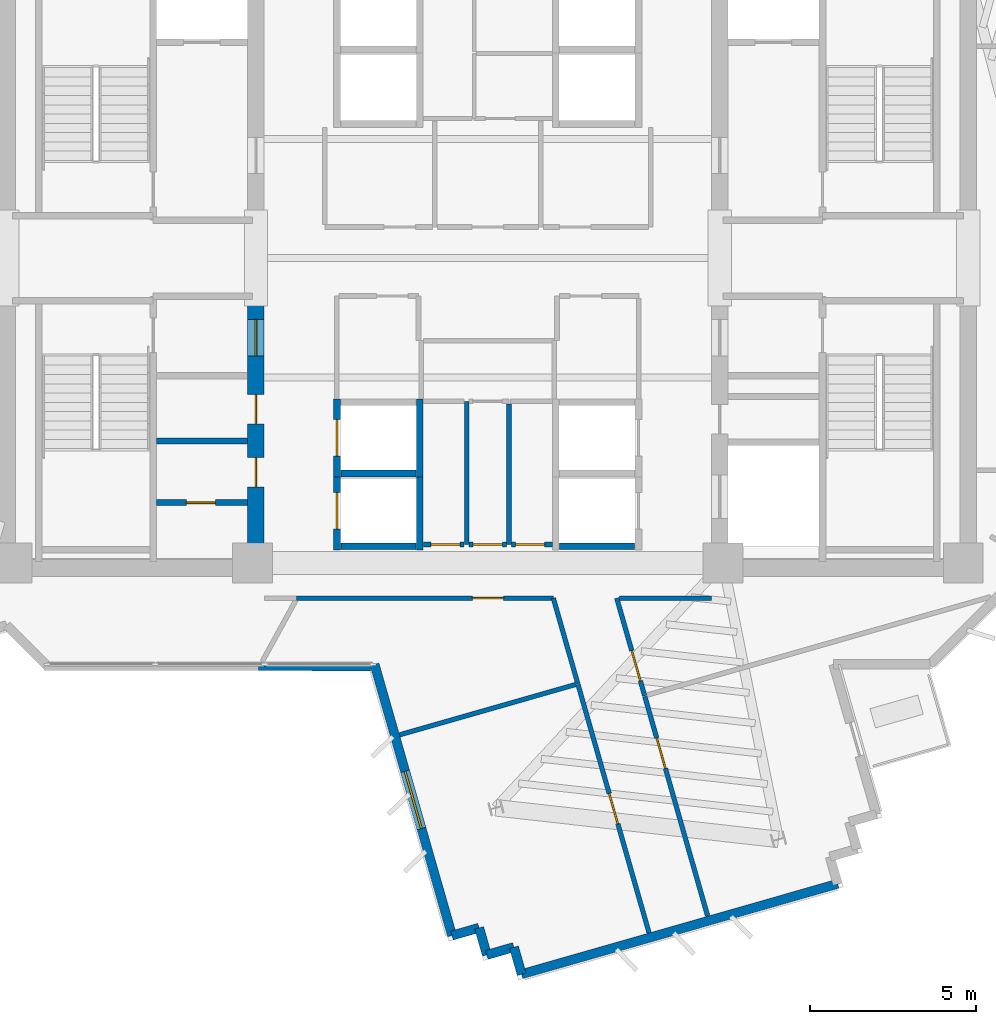
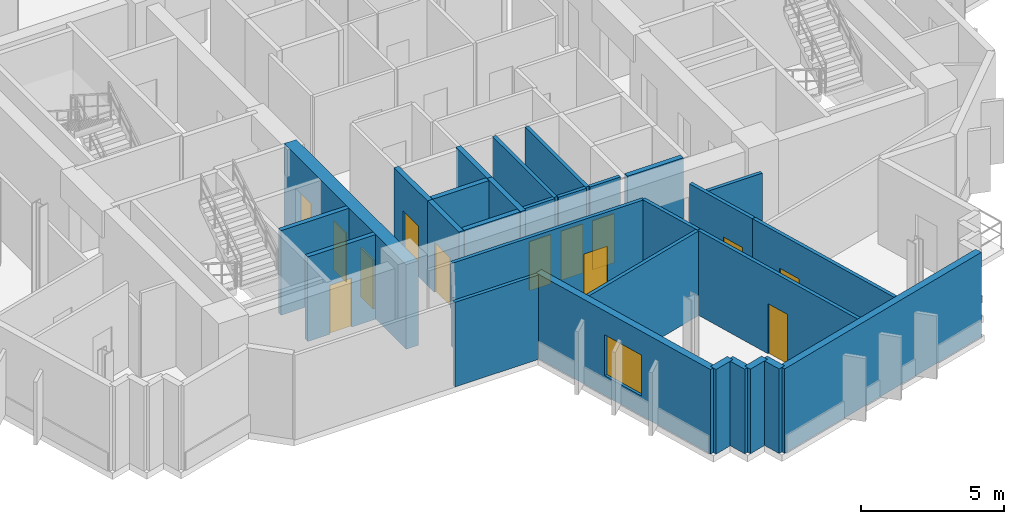
# One storey, part 5 of 14: 29 walls, 13 doors, 1 window, 14 openings.
"""IFC4 building model written with IfcOpenShell, lengths in metres."""

from ifc_helpers import new_model, si_unit, direction, frame, frame_2d, origin, place, context, subcontext, project, spatial, rectangle, extrude, source, transform, mapped, material, layer, layer_set, type_object, element, fill, save


model = new_model("IFC4")

# Units and contexts
model_context = context("Model", 3, precision=1e-05, world=origin(), true_north=direction((0.0, 1.0)))
body_context = subcontext(model_context, "Body", "Model", "MODEL_VIEW")
ifc_project = project(units=[si_unit("LENGTHUNIT", "METRE"), si_unit("AREAUNIT", "SQUARE_METRE"), si_unit("VOLUMEUNIT", "CUBIC_METRE"), si_unit("PLANEANGLEUNIT", "RADIAN"), si_unit("MASSUNIT", "GRAM", prefix="KILO")], contexts=[model_context])

# Site, building, storey
site_placement = place(None, origin())
site = spatial("IfcSite", under=ifc_project, at=site_placement, CompositionType="ELEMENT")
building_placement = place(site_placement, origin())
building = spatial("IfcBuilding", under=site, at=building_placement, Name="Zahravan Cultural Tower", CompositionType="ELEMENT")
storey_placement = place(building_placement, frame((0.0, 0.0, 205.800048828125)))
storey = spatial("IfcBuildingStorey", under=building, at=storey_placement, Name="L48", CompositionType="ELEMENT", Elevation=205.800048828125)

# Wall, openings, doors
ifc_material_1 = material(Name="Concrete C60/75", Category="concrete")
ifc_layer_1 = layer(ifc_material_1, 0.5)
ifc_layer_set_1 = layer_set([ifc_layer_1], Name="Concrete C60/75")
wall_type_1 = type_object("IfcWallType", Name="CW-SHEAR-500-C60", PredefinedType="SHEAR", material=ifc_layer_set_1)
wall_1_placement = place(storey_placement, frame((29.0, 17.39990234375, 0.0), z_axis=(0.0, 0.0, 1.0), x_axis=(0.0, 1.0, 0.0)))
wall_1 = element("IfcWall", 1, at=wall_1_placement, inside=storey, type_object=wall_type_1, Name="L48 Core Shear Wall CW-W-ES-L48", PredefinedType="SHEAR", context=body_context, shape_type="SweptSolid", body=[
    extrude(rectangle(XDim=8.550048828125, YDim=0.5, at=frame_2d((4.27490234375, 0.0))), origin(), (0.0, 0.0, 1.0), 3.619873046875),
])
opening_1_placement = place(wall_1_placement, frame((6.64990234375, 0.0, 0.0)))
opening_1 = element("IfcOpeningElement", 2, at=opening_1_placement, cuts=wall_1, Name="Opening D-L48-07", PredefinedType="OPENING", context=body_context, shape_type="SweptSolid", body=[
    extrude(rectangle(XDim=1.10009765625, YDim=2.199951171875, at=frame_2d((0.550048828125, 1.10009765625))), frame((0.0, 0.260009765625, 0.0), z_axis=(0.0, -1.0, 0.0), x_axis=(1.0, 0.0, 0.0)), (0.0, 0.0, 1.0), 0.52001953125),
])
opening_2_placement = place(wall_1_placement, frame((2.699951171875, 0.0, 0.0)))
opening_2 = element("IfcOpeningElement", 3, at=opening_2_placement, cuts=wall_1, Name="Opening D-L48-10", PredefinedType="OPENING", context=body_context, shape_type="SweptSolid", body=[
    extrude(rectangle(XDim=0.8798828125, YDim=2.10009765625, at=frame_2d((0.43994140625, 1.050048828125))), frame((0.0, 0.260009765625, 0.0), z_axis=(0.0, -1.0, 0.0), x_axis=(1.0, 0.0, 0.0)), (0.0, 0.0, 1.0), 0.52001953125),
])
opening_3_placement = place(wall_1_placement, frame((4.60009765625, 0.0, 0.0)))
opening_3 = element("IfcOpeningElement", 4, at=opening_3_placement, cuts=wall_1, Name="Opening D-L48-11", PredefinedType="OPENING", context=body_context, shape_type="SweptSolid", body=[
    extrude(rectangle(XDim=0.8798828125, YDim=2.10009765625, at=frame_2d((0.43994140625, 1.050048828125))), frame((0.0, 0.260009765625, 0.0), z_axis=(0.0, -1.0, 0.0), x_axis=(1.0, 0.0, 0.0)), (0.0, 0.0, 1.0), 0.52001953125),
])
ifc_material_2 = material(Name="Steel ASTM A572 Grade 50", Category="steel")
door_type_1 = type_object("IfcDoorType", Name="DR-LOBBY-1100", OperationType="NOTDEFINED", PredefinedType="DOOR", material=ifc_material_2)
shared_shape_1 = source(origin(), body_context, "Body", "SweptSolid", [
    extrude(rectangle(XDim=1.10009765625, YDim=2.199951171875, at=frame_2d((0.550048828125, 1.10009765625))), frame((0.0, 0.02490234375, 0.0), z_axis=(0.0, -1.0, 0.0), x_axis=(1.0, 0.0, 0.0)), (0.0, 0.0, 1.0), 0.050048828125),
])
door_1_placement = place(opening_1_placement, origin())
door_1 = element("IfcDoor", 5, at=door_1_placement, inside=storey, type_object=door_type_1, Name="L48 Door D-L48-07", OperationType="SINGLE_SWING_RIGHT", OverallHeight=2.199951171875, OverallWidth=1.10009765625, PredefinedType="DOOR", context=body_context, shape_type="MappedRepresentation", body=[
    mapped(shared_shape_1, transform((0.0, 0.0, 0.0), x_axis=(1.0, 0.0, 0.0), y_axis=(0.0, 1.0, 0.0), z_axis=(0.0, 0.0, 1.0), scale=1.0)),
])
fill(opening_1, door_1)
door_type_2 = type_object("IfcDoorType", Name="DR-SVC-880", OperationType="NOTDEFINED", PredefinedType="DOOR", material=ifc_material_2)
shared_shape_2 = source(origin(), body_context, "Body", "SweptSolid", [
    extrude(rectangle(XDim=0.8798828125, YDim=2.10009765625, at=frame_2d((0.43994140625, 1.050048828125))), frame((0.0, 0.02490234375, 0.0), z_axis=(0.0, -1.0, 0.0), x_axis=(1.0, 0.0, 0.0)), (0.0, 0.0, 1.0), 0.050048828125),
])
door_2_placement = place(opening_2_placement, origin())
door_2 = element("IfcDoor", 6, at=door_2_placement, inside=storey, type_object=door_type_2, Name="L48 Door D-L48-10", OperationType="SINGLE_SWING_LEFT", OverallHeight=2.10009765625, OverallWidth=0.8798828125, PredefinedType="DOOR", context=body_context, shape_type="MappedRepresentation", body=[
    mapped(shared_shape_2, transform((0.0, 0.0, 0.0), x_axis=(1.0, 0.0, 0.0), y_axis=(0.0, 1.0, 0.0), z_axis=(0.0, 0.0, 1.0), scale=1.0)),
])
fill(opening_2, door_2)
door_3_placement = place(opening_3_placement, origin())
door_3 = element("IfcDoor", 7, at=door_3_placement, inside=storey, type_object=door_type_2, Name="L48 Door D-L48-11", OperationType="SINGLE_SWING_RIGHT", OverallHeight=2.10009765625, OverallWidth=0.8798828125, PredefinedType="DOOR", context=body_context, shape_type="MappedRepresentation", body=[
    mapped(shared_shape_2, transform((0.0, 0.0, 0.0), x_axis=(1.0, 0.0, 0.0), y_axis=(0.0, 1.0, 0.0), z_axis=(0.0, 0.0, 1.0), scale=1.0)),
])
fill(opening_3, door_3)

# Wall, opening, window
ifc_material_3 = material(Name="Precast concrete C40/50", Category="concrete")
ifc_layer_2 = layer(ifc_material_3, 0.280029296875)
ifc_layer_set_2 = layer_set([ifc_layer_2], Name="Precast concrete C40/50")
wall_type_2 = type_object("IfcWallType", Name="EW-TC-280", PredefinedType="SOLIDWALL", material=ifc_layer_set_2)
wall_2_placement = place(storey_placement, frame((34.920166015625, 6.554931640625, 0.0), z_axis=(0.0, 0.0, 1.0), x_axis=(-0.27496352843, 0.961454657295, 0.0)))
wall_2 = element("IfcWall", 8, at=wall_2_placement, inside=storey, type_object=wall_type_2, Name="L48 Exterior Masonry Frame Wall 25", PredefinedType="SOLIDWALL", context=body_context, shape_type="SweptSolid", body=[
    extrude(rectangle(XDim=8.51318359375, YDim=0.280029296875, at=frame_2d((4.256591796875, 0.0))), origin(), (0.0, 0.0, 1.0), 3.619873046875),
])
opening_4_placement = place(wall_2_placement, frame((3.35693359375, 0.0, 0.85009765625)))
opening_4 = element("IfcOpeningElement", 9, at=opening_4_placement, cuts=wall_2, Name="Opening WN-02", PredefinedType="OPENING", context=body_context, shape_type="SweptSolid", body=[
    extrude(rectangle(XDim=1.800048828125, YDim=1.75, at=frame_2d((0.89990234375, 0.875))), frame((0.0, 0.14990234375, 0.0), z_axis=(0.0, -1.0, 0.0), x_axis=(1.0, 0.0, 0.0)), (0.0, 0.0, 1.0), 0.300048828125),
])
ifc_material_4 = material(Name="Low-E solar-control double glazing", Category="glass")
window_type = type_object("IfcWindowType", Name="WN-REC-1800X1750", PartitioningType="DOUBLE_PANEL_VERTICAL", PredefinedType="WINDOW", material=ifc_material_4)
shared_shape_3 = source(origin(), body_context, "Body", "SweptSolid", [
    extrude(rectangle(XDim=1.800048828125, YDim=1.75, at=frame_2d((0.89990234375, 0.875))), frame((0.0, 0.030029296875, 0.0), z_axis=(0.0, -1.0, 0.0), x_axis=(1.0, 0.0, 0.0)), (0.0, 0.0, 1.0), 0.06005859375),
])
window_placement = place(opening_4_placement, origin())
window = element("IfcWindow", 10, at=window_placement, inside=storey, type_object=window_type, Name="L48 Recessed Solar Window 03", OverallHeight=1.75, OverallWidth=1.800048828125, PartitioningType="DOUBLE_PANEL_VERTICAL", PredefinedType="WINDOW", context=body_context, shape_type="MappedRepresentation", body=[
    mapped(shared_shape_3, transform((0.0, 0.0, 0.0), x_axis=(1.0, 0.0, 0.0), y_axis=(0.0, 1.0, 0.0), z_axis=(0.0, 0.0, 1.0), scale=1.0)),
])
fill(opening_4, window)

# Wall, opening, door
ifc_material_5 = material(Name="Gypsum plasterboard partition")
ifc_layer_3 = layer(ifc_material_5, 0.179931640625)
ifc_layer_set_3 = layer_set([ifc_layer_3], Name="Gypsum plasterboard partition")
wall_type_3 = type_object("IfcWallType", Name="W-COMP-180", PredefinedType="PARTITIONING", material=ifc_layer_set_3)
wall_3_placement = place(storey_placement, frame((26.0, 19.6201171875, 0.0), z_axis=(0.0, 0.0, 1.0), x_axis=(1.0, 0.0, 0.0)))
wall_3 = element("IfcWall", 11, at=wall_3_placement, inside=storey, type_object=wall_type_3, Name="L48 Interior Wall 026", PredefinedType="PARTITIONING", context=body_context, shape_type="SweptSolid", body=[
    extrude(rectangle(XDim=2.75, YDim=0.179931640625, at=frame_2d((1.375, 0.0))), origin(), (0.0, 0.0, 1.0), 3.619873046875),
])
opening_5_placement = place(wall_3_placement, frame((0.89990234375, 0.0, 0.0)))
opening_5 = element("IfcOpeningElement", 12, at=opening_5_placement, cuts=wall_3, Name="Opening D-L48-09", PredefinedType="OPENING", context=body_context, shape_type="SweptSolid", body=[
    extrude(rectangle(XDim=0.8798828125, YDim=2.10009765625, at=frame_2d((0.43994140625, 1.050048828125))), frame((0.0, 0.099853515625, 0.0), z_axis=(0.0, -1.0, 0.0), x_axis=(1.0, 0.0, 0.0)), (0.0, 0.0, 1.0), 0.199951171875),
])
door_4_placement = place(opening_5_placement, origin())
door_4 = element("IfcDoor", 13, at=door_4_placement, inside=storey, type_object=door_type_2, Name="L48 Door D-L48-09", OperationType="SINGLE_SWING_RIGHT", OverallHeight=2.10009765625, OverallWidth=0.8798828125, PredefinedType="DOOR", context=body_context, shape_type="MappedRepresentation", body=[
    mapped(shared_shape_2, transform((0.0, 0.0, 0.0), x_axis=(1.0, 0.0, 0.0), y_axis=(0.0, 1.0, 0.0), z_axis=(0.0, 0.0, 1.0), scale=1.0)),
])
fill(opening_5, door_4)

ifc_layer_4 = layer(ifc_material_5, 0.139892578125)
ifc_layer_set_4 = layer_set([ifc_layer_4], Name="Gypsum plasterboard partition")
wall_type_4 = type_object("IfcWallType", Name="W-PART-140", PredefinedType="PARTITIONING", material=ifc_layer_set_4)
wall_4_placement = place(storey_placement, frame((36.56494140625, 18.360107421875, 0.0), z_axis=(0.0, 0.0, 1.0), x_axis=(-1.0, 0.0, 0.0)))
wall_4 = element("IfcWall", 14, at=wall_4_placement, inside=storey, type_object=wall_type_4, Name="L48 Interior Wall 065", PredefinedType="PARTITIONING", context=body_context, shape_type="SweptSolid", body=[
    extrude(rectangle(XDim=1.1298828125, YDim=0.139892578125, at=frame_2d((0.56494140625, 0.0))), origin(), (0.0, 0.0, 1.0), 3.619873046875),
])
opening_6_placement = place(wall_4_placement, frame((0.125, 0.0, 0.0)))
opening_6 = element("IfcOpeningElement", 15, at=opening_6_placement, cuts=wall_4, Name="Opening D-L48-21", PredefinedType="OPENING", context=body_context, shape_type="SweptSolid", body=[
    extrude(rectangle(XDim=0.8798828125, YDim=2.10009765625, at=frame_2d((0.43994140625, 1.050048828125))), frame((0.0, 0.079833984375, 0.0), z_axis=(0.0, -1.0, 0.0), x_axis=(1.0, 0.0, 0.0)), (0.0, 0.0, 1.0), 0.159912109375),
])
ifc_material_6 = material(Name="Anodised bronze-aluminium mullion", Category="aluminium")
door_type_3 = type_object("IfcDoorType", Name="DR-ROOM-880", OperationType="NOTDEFINED", PredefinedType="DOOR", material=ifc_material_6)
door_5_placement = place(opening_6_placement, origin())
door_5 = element("IfcDoor", 16, at=door_5_placement, inside=storey, type_object=door_type_3, Name="L48 Door D-L48-21", OperationType="SINGLE_SWING_RIGHT", OverallHeight=2.10009765625, OverallWidth=0.8798828125, PredefinedType="DOOR", context=body_context, shape_type="MappedRepresentation", body=[
    mapped(shared_shape_2, transform((0.0, 0.0, 0.0), x_axis=(1.0, 0.0, 0.0), y_axis=(0.0, 1.0, 0.0), z_axis=(0.0, 0.0, 1.0), scale=1.0)),
])
fill(opening_6, door_5)

wall_5_placement = place(storey_placement, frame((35.284912109375, 18.360107421875, 0.0), z_axis=(0.0, 0.0, 1.0), x_axis=(-1.0, 0.0, 0.0)))
wall_5 = element("IfcWall", 17, at=wall_5_placement, inside=storey, type_object=wall_type_4, Name="L48 Interior Wall 067", PredefinedType="PARTITIONING", context=body_context, shape_type="SweptSolid", body=[
    extrude(rectangle(XDim=1.22998046875, YDim=0.139892578125, at=frame_2d((0.614990234375, 0.0))), origin(), (0.0, 0.0, 1.0), 3.619873046875),
])
opening_7_placement = place(wall_5_placement, frame((0.12255859375, 0.0, 0.0)))
opening_7 = element("IfcOpeningElement", 18, at=opening_7_placement, cuts=wall_5, Name="Opening D-L48-20", PredefinedType="OPENING", context=body_context, shape_type="SweptSolid", body=[
    extrude(rectangle(XDim=0.8798828125, YDim=2.10009765625, at=frame_2d((0.43994140625, 1.050048828125))), frame((0.0, 0.079833984375, 0.0), z_axis=(0.0, -1.0, 0.0), x_axis=(1.0, 0.0, 0.0)), (0.0, 0.0, 1.0), 0.159912109375),
])
door_6_placement = place(opening_7_placement, origin())
door_6 = element("IfcDoor", 19, at=door_6_placement, inside=storey, type_object=door_type_3, Name="L48 Door D-L48-20", OperationType="SINGLE_SWING_LEFT", OverallHeight=2.10009765625, OverallWidth=0.8798828125, PredefinedType="DOOR", context=body_context, shape_type="MappedRepresentation", body=[
    mapped(shared_shape_2, transform((0.0, 0.0, 0.0), x_axis=(1.0, 0.0, 0.0), y_axis=(0.0, 1.0, 0.0), z_axis=(0.0, 0.0, 1.0), scale=1.0)),
])
fill(opening_7, door_6)

wall_6_placement = place(storey_placement, frame((37.945068359375, 18.360107421875, 0.0), z_axis=(0.0, 0.0, 1.0), x_axis=(-1.0, 0.0, 0.0)))
wall_6 = element("IfcWall", 20, at=wall_6_placement, inside=storey, type_object=wall_type_4, Name="L48 Interior Wall 069", PredefinedType="PARTITIONING", context=body_context, shape_type="SweptSolid", body=[
    extrude(rectangle(XDim=1.22998046875, YDim=0.139892578125, at=frame_2d((0.614990234375, 0.0))), origin(), (0.0, 0.0, 1.0), 3.619873046875),
])
opening_8_placement = place(wall_6_placement, frame((0.2275390625, 0.0, 0.0)))
opening_8 = element("IfcOpeningElement", 21, at=opening_8_placement, cuts=wall_6, Name="Opening D-L48-22", PredefinedType="OPENING", context=body_context, shape_type="SweptSolid", body=[
    extrude(rectangle(XDim=0.8798828125, YDim=2.10009765625, at=frame_2d((0.43994140625, 1.050048828125))), frame((0.0, 0.079833984375, 0.0), z_axis=(0.0, -1.0, 0.0), x_axis=(1.0, 0.0, 0.0)), (0.0, 0.0, 1.0), 0.159912109375),
])
door_7_placement = place(opening_8_placement, origin())
door_7 = element("IfcDoor", 22, at=door_7_placement, inside=storey, type_object=door_type_3, Name="L48 Door D-L48-22", OperationType="SINGLE_SWING_LEFT", OverallHeight=2.10009765625, OverallWidth=0.8798828125, PredefinedType="DOOR", context=body_context, shape_type="MappedRepresentation", body=[
    mapped(shared_shape_2, transform((0.0, 0.0, 0.0), x_axis=(1.0, 0.0, 0.0), y_axis=(0.0, 1.0, 0.0), z_axis=(0.0, 0.0, 1.0), scale=1.0)),
])
fill(opening_8, door_7)

wall_7_placement = place(storey_placement, frame((40.734130859375, 13.79248046875, 0.0), z_axis=(0.0, 0.0, 1.0), x_axis=(-0.274984067599, 0.961448783122, 0.0)))
wall_7 = element("IfcWall", 23, at=wall_7_placement, inside=storey, type_object=wall_type_4, Name="L48 Interior Wall 088", PredefinedType="PARTITIONING", context=body_context, shape_type="SweptSolid", body=[
    extrude(rectangle(XDim=3.065673828125, YDim=0.139892578125, at=frame_2d((1.53271484375, 0.0))), origin(), (0.0, 0.0, 1.0), 3.619873046875),
])
opening_9_placement = place(wall_7_placement, frame((0.46533203125, 0.0, 0.0)))
opening_9 = element("IfcOpeningElement", 24, at=opening_9_placement, cuts=wall_7, Name="Opening D-L48-32", PredefinedType="OPENING", context=body_context, shape_type="SweptSolid", body=[
    extrude(rectangle(XDim=0.949951171875, YDim=2.14990234375, at=frame_2d((0.47509765625, 1.074951171875))), frame((0.0, 0.079833984375, 0.0), z_axis=(0.0, -1.0, 0.0), x_axis=(1.0, 0.0, 0.0)), (0.0, 0.0, 1.0), 0.159912109375),
])
door_type_4 = type_object("IfcDoorType", Name="DR-ROOM-950", OperationType="NOTDEFINED", PredefinedType="DOOR", material=ifc_material_6)
shared_shape_4 = source(origin(), body_context, "Body", "SweptSolid", [
    extrude(rectangle(XDim=0.949951171875, YDim=2.14990234375, at=frame_2d((0.47509765625, 1.074951171875))), frame((0.0, 0.02490234375, 0.0), z_axis=(0.0, -1.0, 0.0), x_axis=(1.0, 0.0, 0.0)), (0.0, 0.0, 1.0), 0.050048828125),
])
door_8_placement = place(opening_9_placement, origin())
door_8 = element("IfcDoor", 25, at=door_8_placement, inside=storey, type_object=door_type_4, Name="L48 Door D-L48-32", OperationType="SINGLE_SWING_LEFT", OverallHeight=2.14990234375, OverallWidth=0.949951171875, PredefinedType="DOOR", context=body_context, shape_type="MappedRepresentation", body=[
    mapped(shared_shape_4, transform((0.0, 0.0, 0.0), x_axis=(1.0, 0.0, 0.0), y_axis=(0.0, 1.0, 0.0), z_axis=(0.0, 0.0, 1.0), scale=1.0)),
])
fill(opening_9, door_8)

wall_8_placement = place(storey_placement, frame((30.224609375, 16.739990234375, 0.0), z_axis=(0.0, 0.0, 1.0), x_axis=(1.0, 0.0, 0.0)))
wall_8 = element("IfcWall", 26, at=wall_8_placement, inside=storey, type_object=wall_type_4, Name="L48 Interior Wall 096", PredefinedType="PARTITIONING", context=body_context, shape_type="SweptSolid", body=[
    extrude(rectangle(XDim=7.752685546875, YDim=0.139892578125, at=frame_2d((3.87646484375, 0.0))), origin(), (0.0, 0.0, 1.0), 3.619873046875),
])
opening_10_placement = place(wall_8_placement, frame((5.30615234375, 0.0, 0.0)))
opening_10 = element("IfcOpeningElement", 27, at=opening_10_placement, cuts=wall_8, Name="Opening D-L48-30", PredefinedType="OPENING", context=body_context, shape_type="SweptSolid", body=[
    extrude(rectangle(XDim=0.949951171875, YDim=2.14990234375, at=frame_2d((0.47509765625, 1.074951171875))), frame((0.0, 0.079833984375, 0.0), z_axis=(0.0, -1.0, 0.0), x_axis=(1.0, 0.0, 0.0)), (0.0, 0.0, 1.0), 0.159912109375),
])
door_9_placement = place(opening_10_placement, origin())
door_9 = element("IfcDoor", 28, at=door_9_placement, inside=storey, type_object=door_type_4, Name="L48 Door D-L48-30", OperationType="SINGLE_SWING_LEFT", OverallHeight=2.14990234375, OverallWidth=0.949951171875, PredefinedType="DOOR", context=body_context, shape_type="MappedRepresentation", body=[
    mapped(shared_shape_4, transform((0.0, 0.0, 0.0), x_axis=(1.0, 0.0, 0.0), y_axis=(0.0, 1.0, 0.0), z_axis=(0.0, 0.0, 1.0), scale=1.0)),
])
fill(opening_10, door_9)

wall_9_placement = place(storey_placement, frame((42.635498046875, 7.14404296875, 0.0), z_axis=(0.0, 0.0, 1.0), x_axis=(-0.274973646468, 0.96145176361, 0.0)))
wall_9 = element("IfcWall", 29, at=wall_9_placement, inside=storey, type_object=wall_type_4, Name="L48 Interior Wall 101", PredefinedType="PARTITIONING", context=body_context, shape_type="SweptSolid", body=[
    extrude(rectangle(XDim=6.895263671875, YDim=0.139892578125, at=frame_2d((3.44775390625, 0.0))), origin(), (0.0, 0.0, 1.0), 3.619873046875),
])
opening_11_placement = place(wall_9_placement, frame((4.63720703125, 0.0, 0.0)))
opening_11 = element("IfcOpeningElement", 30, at=opening_11_placement, cuts=wall_9, Name="Opening D-L48-33", PredefinedType="OPENING", context=body_context, shape_type="SweptSolid", body=[
    extrude(rectangle(XDim=0.949951171875, YDim=2.14990234375, at=frame_2d((0.47509765625, 1.074951171875))), frame((0.0, 0.079833984375, 0.0), z_axis=(0.0, -1.0, 0.0), x_axis=(1.0, 0.0, 0.0)), (0.0, 0.0, 1.0), 0.159912109375),
])
door_10_placement = place(opening_11_placement, origin())
door_10 = element("IfcDoor", 31, at=door_10_placement, inside=storey, type_object=door_type_4, Name="L48 Door D-L48-33", OperationType="SINGLE_SWING_RIGHT", OverallHeight=2.14990234375, OverallWidth=0.949951171875, PredefinedType="DOOR", context=body_context, shape_type="MappedRepresentation", body=[
    mapped(shared_shape_4, transform((0.0, 0.0, 0.0), x_axis=(1.0, 0.0, 0.0), y_axis=(0.0, 1.0, 0.0), z_axis=(0.0, 0.0, 1.0), scale=1.0)),
])
fill(opening_11, door_10)

wall_10_placement = place(storey_placement, frame((38.722900390625, 14.1328125, 0.0), z_axis=(0.0, 0.0, 1.0), x_axis=(0.274985856522, -0.96144827147, 0.0)))
wall_10 = element("IfcWall", 32, at=wall_10_placement, inside=storey, type_object=wall_type_4, Name="L48 Interior Wall 103", PredefinedType="PARTITIONING", context=body_context, shape_type="SweptSolid", body=[
    extrude(rectangle(XDim=7.795166015625, YDim=0.139892578125, at=frame_2d((3.8974609375, 0.0))), origin(), (0.0, 0.0, 1.0), 3.619873046875),
])
opening_12_placement = place(wall_10_placement, frame((3.422607421875, 0.0, 0.0)))
opening_12 = element("IfcOpeningElement", 33, at=opening_12_placement, cuts=wall_10, Name="Opening D-L48-31", PredefinedType="OPENING", context=body_context, shape_type="SweptSolid", body=[
    extrude(rectangle(XDim=0.949951171875, YDim=2.14990234375, at=frame_2d((0.47509765625, 1.074951171875))), frame((0.0, 0.079833984375, 0.0), z_axis=(0.0, -1.0, 0.0), x_axis=(1.0, 0.0, 0.0)), (0.0, 0.0, 1.0), 0.159912109375),
])
door_11_placement = place(opening_12_placement, origin())
door_11 = element("IfcDoor", 34, at=door_11_placement, inside=storey, type_object=door_type_4, Name="L48 Door D-L48-31", OperationType="SINGLE_SWING_RIGHT", OverallHeight=2.14990234375, OverallWidth=0.949951171875, PredefinedType="DOOR", context=body_context, shape_type="MappedRepresentation", body=[
    mapped(shared_shape_4, transform((0.0, 0.0, 0.0), x_axis=(1.0, 0.0, 0.0), y_axis=(0.0, 1.0, 0.0), z_axis=(0.0, 0.0, 1.0), scale=1.0)),
])
fill(opening_12, door_11)

ifc_material_7 = material(Name="Concrete C45/55", Category="concrete")
ifc_layer_5 = layer(ifc_material_7, 0.199951171875)
ifc_layer_set_5 = layer_set([ifc_layer_5], Name="Concrete C45/55")
wall_type_5 = type_object("IfcWallType", Name="W-SHAFT-200", PredefinedType="SOLIDWALL", material=ifc_layer_set_5)
wall_11_placement = place(storey_placement, frame((31.449951171875, 20.39990234375, 0.0), z_axis=(0.0, 0.0, 1.0), x_axis=(0.0, 1.0, 0.0)))
wall_11 = element("IfcWall", 35, at=wall_11_placement, inside=storey, type_object=wall_type_5, Name="L48 Interior Wall 043", PredefinedType="SOLIDWALL", context=body_context, shape_type="SweptSolid", body=[
    extrude(rectangle(XDim=2.35009765625, YDim=0.199951171875, at=frame_2d((1.175048828125, 0.0))), origin(), (0.0, 0.0, 1.0), 3.619873046875),
])
opening_13_placement = place(wall_11_placement, frame((0.625, 0.0, 0.0)))
opening_13 = element("IfcOpeningElement", 36, at=opening_13_placement, cuts=wall_11, Name="Opening LD-L48-04", PredefinedType="OPENING", context=body_context, shape_type="SweptSolid", body=[
    extrude(rectangle(XDim=1.10009765625, YDim=2.14990234375, at=frame_2d((0.550048828125, 1.074951171875))), frame((0.0, 0.10986328125, 0.0), z_axis=(0.0, -1.0, 0.0), x_axis=(1.0, 0.0, 0.0)), (0.0, 0.0, 1.0), 0.219970703125),
])
door_type_5 = type_object("IfcDoorType", Name="DR-LIFT-1100", OperationType="DOUBLE_DOOR_SLIDING", PredefinedType="DOOR", material=ifc_material_2)
shared_shape_5 = source(origin(), body_context, "Body", "SweptSolid", [
    extrude(rectangle(XDim=1.10009765625, YDim=2.14990234375, at=frame_2d((0.550048828125, 1.074951171875))), frame((0.0, 0.02490234375, 0.0), z_axis=(0.0, -1.0, 0.0), x_axis=(1.0, 0.0, 0.0)), (0.0, 0.0, 1.0), 0.050048828125),
])
door_12_placement = place(opening_13_placement, origin())
door_12 = element("IfcDoor", 37, at=door_12_placement, inside=storey, type_object=door_type_5, Name="L48 Door LD-L48-04", OperationType="DOUBLE_DOOR_SLIDING", OverallHeight=2.14990234375, OverallWidth=1.10009765625, PredefinedType="DOOR", context=body_context, shape_type="MappedRepresentation", body=[
    mapped(shared_shape_5, transform((0.0, 0.0, 0.0), x_axis=(1.0, 0.0, 0.0), y_axis=(0.0, 1.0, 0.0), z_axis=(0.0, 0.0, 1.0), scale=1.0)),
])
fill(opening_13, door_12)

wall_12_placement = place(storey_placement, frame((31.449951171875, 18.199951171875, 0.0), z_axis=(0.0, 0.0, 1.0), x_axis=(0.0, 1.0, 0.0)))
wall_12 = element("IfcWall", 38, at=wall_12_placement, inside=storey, type_object=wall_type_5, Name="L48 Interior Wall 047", PredefinedType="SOLIDWALL", context=body_context, shape_type="SweptSolid", body=[
    extrude(rectangle(XDim=2.35009765625, YDim=0.199951171875, at=frame_2d((1.175048828125, 0.0))), origin(), (0.0, 0.0, 1.0), 3.619873046875),
])
opening_14_placement = place(wall_12_placement, frame((0.625, 0.0, 0.0)))
opening_14 = element("IfcOpeningElement", 39, at=opening_14_placement, cuts=wall_12, Name="Opening LD-L48-05", PredefinedType="OPENING", context=body_context, shape_type="SweptSolid", body=[
    extrude(rectangle(XDim=1.10009765625, YDim=2.14990234375, at=frame_2d((0.550048828125, 1.074951171875))), frame((0.0, 0.10986328125, 0.0), z_axis=(0.0, -1.0, 0.0), x_axis=(1.0, 0.0, 0.0)), (0.0, 0.0, 1.0), 0.219970703125),
])
door_13_placement = place(opening_14_placement, origin())
door_13 = element("IfcDoor", 40, at=door_13_placement, inside=storey, type_object=door_type_5, Name="L48 Door LD-L48-05", OperationType="DOUBLE_DOOR_SLIDING", OverallHeight=2.14990234375, OverallWidth=1.10009765625, PredefinedType="DOOR", context=body_context, shape_type="MappedRepresentation", body=[
    mapped(shared_shape_5, transform((0.0, 0.0, 0.0), x_axis=(1.0, 0.0, 0.0), y_axis=(0.0, 1.0, 0.0), z_axis=(0.0, 0.0, 1.0), scale=1.0)),
])
fill(opening_14, door_13)

# Walls
shared_shape_6 = source(origin(), body_context, "Body", "SweptSolid", [
    extrude(rectangle(XDim=0.85009765625, YDim=0.280029296875, at=frame_2d((0.425048828125, 0.0))), origin(), (0.0, 0.0, 1.0), 3.619873046875),
])
wall_13_placement = place(storey_placement, frame((35.970947265625, 5.971435546875, 0.0), z_axis=(0.0, 0.0, 1.0), x_axis=(-0.274834915789, 0.961491429532, 0.0)))
element("IfcWall", 41, at=wall_13_placement, inside=storey, type_object=wall_type_2, Name="L48 Exterior Masonry Frame Wall 23", PredefinedType="SOLIDWALL", context=body_context, shape_type="MappedRepresentation", body=[
    mapped(shared_shape_6, transform((0.0, 0.0, 0.0), x_axis=(1.0, 0.0, 0.0), y_axis=(0.0, 1.0, 0.0), z_axis=(0.0, 0.0, 1.0), scale=1.0)),
])
shared_shape_7 = source(origin(), body_context, "Body", "SweptSolid", [
    extrude(rectangle(XDim=0.849853515625, YDim=0.280029296875, at=frame_2d((0.4248046875, 0.0))), origin(), (0.0, 0.0, 1.0), 3.619873046875),
])
for number, where, z_axis, x_axis, name in (
    (42, (37.02197265625, 5.387939453125, 0.0), (0.0, 0.0, 1.0), (-0.275176346112, 0.961393768724, 0.0), "L48 Exterior Masonry Frame Wall 21"),
    (43, (36.7880859375, 6.205078125, 0.0), (0.0, 0.0, 1.0), (-0.961469728335, -0.274910824624, 0.0), "L48 Exterior Masonry Frame Wall 22"),
    (44, (35.7373046875, 6.788818359375, 0.0), (0.0, 0.0, 1.0), (-0.961393768724, -0.275176346112, 0.0), "L48 Exterior Masonry Frame Wall 24"),
):
    element("IfcWall", number, at=place(storey_placement, frame(where, z_axis=z_axis, x_axis=x_axis)), inside=storey, type_object=wall_type_2, Name=name, PredefinedType="SOLIDWALL", context=body_context, shape_type="MappedRepresentation", body=[
        mapped(shared_shape_7, transform((0.0, 0.0, 0.0), x_axis=(1.0, 0.0, 0.0), y_axis=(0.0, 1.0, 0.0), z_axis=(0.0, 0.0, 1.0), scale=1.0)),
    ])
shared_shape_8 = source(origin(), body_context, "Body", "SweptSolid", [
    extrude(rectangle(XDim=9.919921875, YDim=0.280029296875, at=frame_2d((4.9599609375, 0.0))), origin(), (0.0, 0.0, 1.0), 3.619873046875),
])
wall_14_placement = place(storey_placement, frame((46.5595703125, 8.115478515625, 0.0), z_axis=(0.0, 0.0, 1.0), x_axis=(-0.961457051276, -0.274955157346, 0.0)))
element("IfcWall", 45, at=wall_14_placement, inside=storey, type_object=wall_type_2, Name="L48 Exterior Masonry Frame Wall 20", PredefinedType="SOLIDWALL", context=body_context, shape_type="MappedRepresentation", body=[
    mapped(shared_shape_8, transform((0.0, 0.0, 0.0), x_axis=(1.0, 0.0, 0.0), y_axis=(0.0, 1.0, 0.0), z_axis=(0.0, 0.0, 1.0), scale=1.0)),
])
shared_shape_9 = source(origin(), body_context, "Body", "SweptSolid", [
    extrude(rectangle(XDim=2.75, YDim=0.179931640625, at=frame_2d((1.375, 0.0))), origin(), (0.0, 0.0, 1.0), 3.619873046875),
])
wall_15_placement = place(storey_placement, frame((26.0, 21.47998046875, 0.0), z_axis=(0.0, 0.0, 1.0), x_axis=(1.0, 0.0, 0.0)))
element("IfcWall", 46, at=wall_15_placement, inside=storey, type_object=wall_type_3, Name="L48 Interior Wall 027", PredefinedType="PARTITIONING", context=body_context, shape_type="MappedRepresentation", body=[
    mapped(shared_shape_9, transform((0.0, 0.0, 0.0), x_axis=(1.0, 0.0, 0.0), y_axis=(0.0, 1.0, 0.0), z_axis=(0.0, 0.0, 1.0), scale=1.0)),
])
shared_shape_10 = source(origin(), body_context, "Body", "SweptSolid", [
    extrude(rectangle(XDim=2.260009765625, YDim=0.199951171875, at=frame_2d((1.1298828125, 0.0))), origin(), (0.0, 0.0, 1.0), 3.619873046875),
])
for number, where, z_axis, x_axis, name in (
    (47, (31.570068359375, 20.5, 0.0), (0.0, 0.0, 1.0), (1.0, 0.0, 0.0), "L48 Interior Wall 045"),
    (48, (31.570068359375, 18.300048828125, 0.0), (0.0, 0.0, 1.0), (1.0, 0.0, 0.0), "L48 Interior Wall 049"),
    (49, (38.169921875, 18.300048828125, 0.0), (0.0, 0.0, 1.0), (1.0, 0.0, 0.0), "L48 Interior Wall 056"),
):
    element("IfcWall", number, at=place(storey_placement, frame(where, z_axis=z_axis, x_axis=x_axis)), inside=storey, type_object=wall_type_5, Name=name, PredefinedType="SOLIDWALL", context=body_context, shape_type="MappedRepresentation", body=[
        mapped(shared_shape_10, transform((0.0, 0.0, 0.0), x_axis=(1.0, 0.0, 0.0), y_axis=(0.0, 1.0, 0.0), z_axis=(0.0, 0.0, 1.0), scale=1.0)),
    ])
shared_shape_11 = source(origin(), body_context, "Body", "SweptSolid", [
    extrude(rectangle(XDim=2.35009765625, YDim=0.199951171875, at=frame_2d((1.175048828125, 0.0))), origin(), (0.0, 0.0, 1.0), 3.619873046875),
])
for number, where, z_axis, x_axis, name in (
    (50, (33.949951171875, 20.39990234375, 0.0), (0.0, 0.0, 1.0), (0.0, 1.0, 0.0), "L48 Interior Wall 044"),
    (51, (33.949951171875, 18.199951171875, 0.0), (0.0, 0.0, 1.0), (0.0, 1.0, 0.0), "L48 Interior Wall 048"),
):
    element("IfcWall", number, at=place(storey_placement, frame(where, z_axis=z_axis, x_axis=x_axis)), inside=storey, type_object=wall_type_5, Name=name, PredefinedType="SOLIDWALL", context=body_context, shape_type="MappedRepresentation", body=[
        mapped(shared_shape_11, transform((0.0, 0.0, 0.0), x_axis=(1.0, 0.0, 0.0), y_axis=(0.0, 1.0, 0.0), z_axis=(0.0, 0.0, 1.0), scale=1.0)),
    ])
shared_shape_12 = source(origin(), body_context, "Body", "SweptSolid", [
    extrude(rectangle(XDim=4.31982421875, YDim=0.139892578125, at=frame_2d((2.159912109375, 0.0))), origin(), (0.0, 0.0, 1.0), 3.619873046875),
])
wall_16_placement = place(storey_placement, frame((35.360107421875, 18.360107421875, 0.0), z_axis=(0.0, 0.0, 1.0), x_axis=(0.0, 1.0, 0.0)))
element("IfcWall", 52, at=wall_16_placement, inside=storey, type_object=wall_type_4, Name="L48 Interior Wall 062", PredefinedType="PARTITIONING", context=body_context, shape_type="MappedRepresentation", body=[
    mapped(shared_shape_12, transform((0.0, 0.0, 0.0), x_axis=(1.0, 0.0, 0.0), y_axis=(0.0, 1.0, 0.0), z_axis=(0.0, 0.0, 1.0), scale=1.0)),
])
shared_shape_13 = source(origin(), body_context, "Body", "SweptSolid", [
    extrude(rectangle(XDim=4.244873046875, YDim=0.139892578125, at=frame_2d((2.12255859375, 0.0))), origin(), (0.0, 0.0, 1.0), 3.619873046875),
])
wall_17_placement = place(storey_placement, frame((36.639892578125, 22.60498046875, 0.0), z_axis=(0.0, 0.0, 1.0), x_axis=(0.0, -1.0, 0.0)))
element("IfcWall", 53, at=wall_17_placement, inside=storey, type_object=wall_type_4, Name="L48 Interior Wall 064", PredefinedType="PARTITIONING", context=body_context, shape_type="MappedRepresentation", body=[
    mapped(shared_shape_13, transform((0.0, 0.0, 0.0), x_axis=(1.0, 0.0, 0.0), y_axis=(0.0, 1.0, 0.0), z_axis=(0.0, 0.0, 1.0), scale=1.0)),
])
shared_shape_14 = source(origin(), body_context, "Body", "SweptSolid", [
    extrude(rectangle(XDim=2.777587890625, YDim=0.139892578125, at=frame_2d((1.388671875, 0.0))), origin(), (0.0, 0.0, 1.0), 3.078857421875),
])
wall_18_placement = place(storey_placement, frame((39.968994140625, 16.739990234375, 0.0), z_axis=(0.0, 0.0, 1.0), x_axis=(0.999999903427, 0.000439483125, 0.0)))
element("IfcWall", 54, at=wall_18_placement, inside=storey, type_object=wall_type_4, Name="L48 Interior Wall 089", PredefinedType="PARTITIONING", context=body_context, shape_type="MappedRepresentation", body=[
    mapped(shared_shape_14, transform((0.0, 0.0, 0.0), x_axis=(1.0, 0.0, 0.0), y_axis=(0.0, 1.0, 0.0), z_axis=(0.0, 0.0, 1.0), scale=1.0)),
])
shared_shape_15 = source(origin(), body_context, "Body", "SweptSolid", [
    extrude(rectangle(XDim=2.691650390625, YDim=0.139892578125, at=frame_2d((1.345703125, 0.0))), origin(), (0.0, 0.0, 1.0), 3.619873046875),
])
wall_19_placement = place(storey_placement, frame((37.977294921875, 16.739990234375, 0.0), z_axis=(0.0, 0.0, 1.0), x_axis=(0.27500862401, -0.961441759401, 0.0)))
element("IfcWall", 55, at=wall_19_placement, inside=storey, type_object=wall_type_4, Name="L48 Interior Wall 097", PredefinedType="PARTITIONING", context=body_context, shape_type="MappedRepresentation", body=[
    mapped(shared_shape_15, transform((0.0, 0.0, 0.0), x_axis=(1.0, 0.0, 0.0), y_axis=(0.0, 1.0, 0.0), z_axis=(0.0, 0.0, 1.0), scale=1.0)),
])
shared_shape_16 = source(origin(), body_context, "Body", "SweptSolid", [
    extrude(rectangle(XDim=5.520263671875, YDim=0.139892578125, at=frame_2d((2.76025390625, 0.0))), origin(), (0.0, 0.0, 1.0), 3.619873046875),
])
wall_20_placement = place(storey_placement, frame((38.6455078125, 14.13134765625, 0.0), z_axis=(0.0, 0.0, 1.0), x_axis=(-0.961455490798, -0.274960613933, 0.0)))
element("IfcWall", 56, at=wall_20_placement, inside=storey, type_object=wall_type_4, Name="L48 Interior Wall 098", PredefinedType="PARTITIONING", context=body_context, shape_type="MappedRepresentation", body=[
    mapped(shared_shape_16, transform((0.0, 0.0, 0.0), x_axis=(1.0, 0.0, 0.0), y_axis=(0.0, 1.0, 0.0), z_axis=(0.0, 0.0, 1.0), scale=1.0)),
])
shared_shape_17 = source(origin(), body_context, "Body", "SweptSolid", [
    extrude(rectangle(XDim=3.385498046875, YDim=0.139892578125, at=frame_2d((1.69287109375, 0.0))), origin(), (0.0, 0.0, 1.0), 3.619873046875),
])
wall_21_placement = place(storey_placement, frame((32.464111328125, 14.615478515625, 0.0), z_axis=(0.0, 0.0, 1.0), x_axis=(-0.999999061333, 0.001370158085, 0.0)))
element("IfcWall", 57, at=wall_21_placement, inside=storey, type_object=wall_type_4, Name="L48 Interior Wall 099", PredefinedType="PARTITIONING", context=body_context, shape_type="MappedRepresentation", body=[
    mapped(shared_shape_17, transform((0.0, 0.0, 0.0), x_axis=(1.0, 0.0, 0.0), y_axis=(0.0, 1.0, 0.0), z_axis=(0.0, 0.0, 1.0), scale=1.0)),
])

save(model, "model.ifc")
